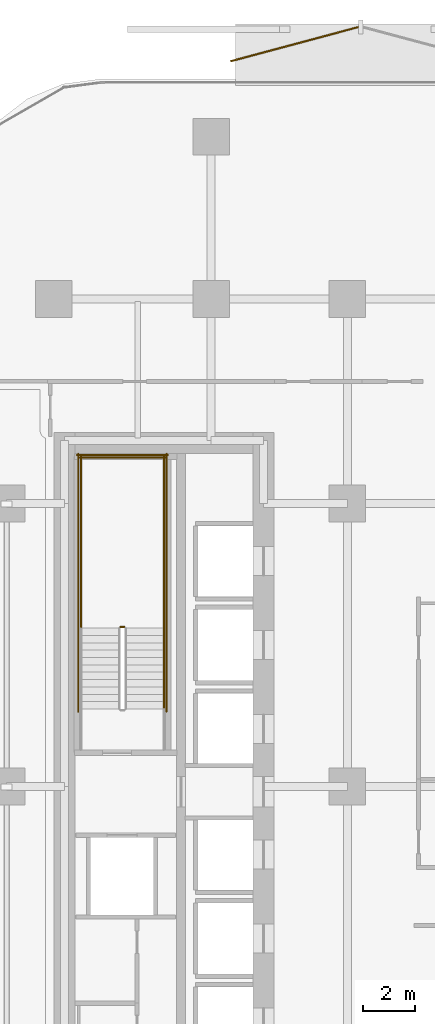
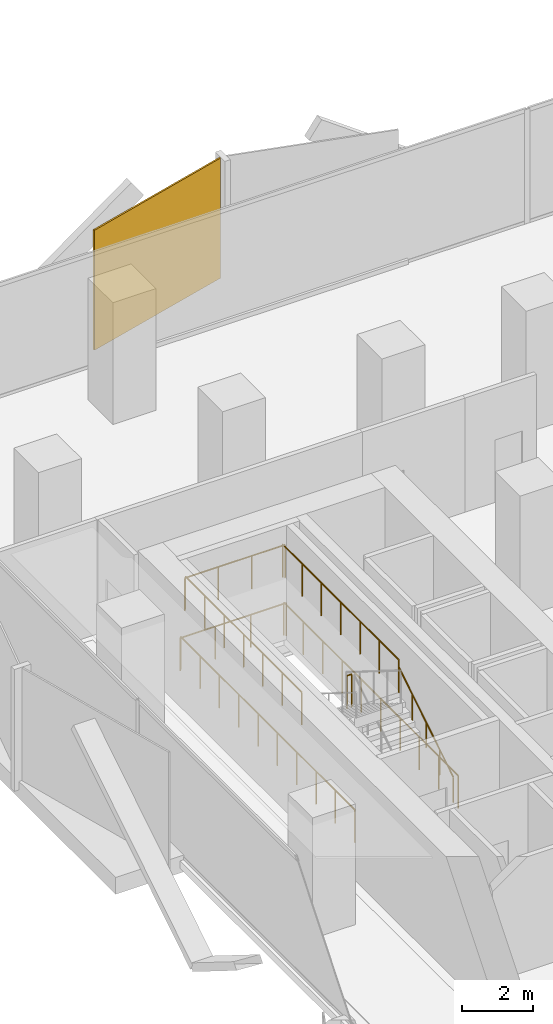
# One storey, part 15 of 16: 8 railings, 1 covering.
"""IFC4 building model written with IfcOpenShell, lengths in metres."""

from ifc_helpers import new_model, si_unit, direction, frame, origin, origin_2d, place, context, subcontext, project, spatial, rectangle, circle, extrude, material, layer, layer_set, type_object, element, save


model = new_model("IFC4")

# Units and contexts
model_context = context("Model", 3, precision=1e-05, world=origin(), true_north=direction((0.0, 1.0)))
body_context = subcontext(model_context, "Body", "Model", "MODEL_VIEW")
ifc_project = project(units=[si_unit("LENGTHUNIT", "METRE"), si_unit("AREAUNIT", "SQUARE_METRE"), si_unit("VOLUMEUNIT", "CUBIC_METRE"), si_unit("PLANEANGLEUNIT", "RADIAN"), si_unit("MASSUNIT", "GRAM", prefix="KILO")], contexts=[model_context])

# Site, building, storey
site_placement = place(None, origin())
site = spatial("IfcSite", under=ifc_project, at=site_placement, CompositionType="ELEMENT")
building_placement = place(site_placement, origin())
building = spatial("IfcBuilding", under=site, at=building_placement, Name="Khairoan Windgate Tower", CompositionType="ELEMENT")
storey_placement = place(building_placement, frame((0.0, 0.0, 26.0)))
storey = spatial("IfcBuildingStorey", under=building, at=storey_placement, Name="L06", CompositionType="ELEMENT", Elevation=26.0)

# Covering
ifc_material_1 = material(Name="Anodised Bronze Aluminium 6063-T6", Category="aluminium")
ifc_layer = layer(ifc_material_1, 0.054931640625, Name="Anodised Bronze Aluminium 6063-T6")
ifc_layer_set = layer_set([ifc_layer], Name="Anodised Bronze Aluminium 6063-T6")
covering_type = type_object("IfcCoveringType", Name="Perforated Bronze-Ceramic Folded Solar Screen Cladding BSC-1", PredefinedType="CLADDING", material=ifc_layer_set)
covering_placement = place(storey_placement, frame((-11.220947265625, 28.327392578125, -0.10009765625), z_axis=(0.0, 0.0, 1.0), x_axis=(0.965925826289, 0.258819045103, 0.0)))
element("IfcCovering", 1, at=covering_placement, inside=storey, type_object=covering_type, Name="L06 Folded Bronze Solar Screen Facet 5L", PredefinedType="CLADDING", context=body_context, shape_type="SweptSolid", body=[
    extrude(rectangle(XDim=5.04296875, YDim=0.054931640625, at=origin_2d()), origin(), (0.0, 0.0, 1.0), 4.139892578125),
])

# Railings
ifc_material_2 = material(Name="Anodised Bronze Aluminium 6063-T6", Category="aluminium")
railing_type_1 = type_object("IfcRailingType", Name="Stair Wall Handrail SHR-900", PredefinedType="HANDRAIL", material=ifc_material_2)
railing_1_placement = place(storey_placement, frame((-16.199951171875, 2.9599609375, 0.175048828125)))
element("IfcRailing", 2, at=railing_1_placement, inside=storey, type_object=railing_type_1, Name="L06 ST2 stair handrail 1", PredefinedType="HANDRAIL", context=body_context, shape_type="SweptSolid", body=[
    extrude(circle(Radius=0.02392578125, at=origin_2d()), frame((0.0, 0.0, 0.8759765625), z_axis=(0.0, 0.847998304005, 0.529998940003), x_axis=(-1.0, 0.0, 0.0)), (0.0, 0.0, 1.0), 3.632080078125),
    extrude(circle(Radius=0.02099609375, at=origin_2d()), origin(), (0.0, 0.0, 1.0), 0.851806640625),
    extrude(circle(Radius=0.02099609375, at=origin_2d()), frame((0.0, 0.77001953125, 0.481201171875)), (0.0, 0.0, 1.0), 0.851806640625),
    extrude(circle(Radius=0.02099609375, at=origin_2d()), frame((0.0, 1.5400390625, 0.96240234375)), (0.0, 0.0, 1.0), 0.851806640625),
    extrude(circle(Radius=0.02099609375, at=origin_2d()), frame((0.0, 2.31005859375, 1.44384765625)), (0.0, 0.0, 1.0), 0.851806640625),
    extrude(circle(Radius=0.02099609375, at=origin_2d()), frame((0.0, 3.080078125, 1.925048828125)), (0.0, 0.0, 1.0), 0.851806640625),
])
ifc_material_3 = material(Name="Steel S355", Category="steel")
railing_type_2 = type_object("IfcRailingType", Name="Stairwell Safety Guardrail SGR-1150", PredefinedType="GUARDRAIL", material=ifc_material_3)
railing_2_placement = place(storey_placement, frame((-17.7099609375, 6.090087890625, 2.10009765625)))
element("IfcRailing", 3, at=railing_2_placement, inside=storey, type_object=railing_type_2, Name="L06 ST2 stair guard 2", PredefinedType="GUARDRAIL", context=body_context, shape_type="SweptSolid", body=[
    extrude(circle(Radius=0.02392578125, at=origin_2d()), frame((0.0, 0.0, 1.1259765625), z_axis=(-1.0, 0.0, 0.0), x_axis=(0.0, -1.0, 0.0)), (0.0, 0.0, 1.0), 0.150146484375),
    extrude(circle(Radius=0.02099609375, at=origin_2d()), origin(), (0.0, 0.0, 1.0), 1.101806640625),
    extrude(circle(Radius=0.02099609375, at=origin_2d()), frame((-0.150146484375, 0.0, 0.0)), (0.0, 0.0, 1.0), 1.101806640625),
])
for number, where, name in (
    (4, (-16.199951171875, 6.0400390625, 2.10009765625), "L06 ST2 stair guard 3"),
    (5, (-19.3701171875, 6.0400390625, 2.10009765625), "L06 ST2 stair guard 4"),
):
    element("IfcRailing", number, at=place(storey_placement, frame(where)), inside=storey, type_object=railing_type_2, Name=name, PredefinedType="GUARDRAIL", context=body_context, shape_type="SweptSolid", body=[
        extrude(circle(Radius=0.02392578125, at=origin_2d()), frame((0.0, 0.0, 1.1259765625), z_axis=(0.0, 1.0, 0.0), x_axis=(-1.0, 0.0, 0.0)), (0.0, 0.0, 1.0), 6.56005859375),
        extrude(circle(Radius=0.02099609375, at=origin_2d()), origin(), (0.0, 0.0, 1.0), 1.101806640625),
        extrude(circle(Radius=0.02099609375, at=origin_2d()), frame((0.0, 1.09326171875, 0.0)), (0.0, 0.0, 1.0), 1.101806640625),
        extrude(circle(Radius=0.02099609375, at=origin_2d()), frame((0.0, 2.186767578125, 0.0)), (0.0, 0.0, 1.0), 1.101806640625),
        extrude(circle(Radius=0.02099609375, at=origin_2d()), frame((0.0, 3.280029296875, 0.0)), (0.0, 0.0, 1.0), 1.101806640625),
        extrude(circle(Radius=0.02099609375, at=origin_2d()), frame((0.0, 4.373291015625, 0.0)), (0.0, 0.0, 1.0), 1.101806640625),
        extrude(circle(Radius=0.02099609375, at=origin_2d()), frame((0.0, 5.466796875, 0.0)), (0.0, 0.0, 1.0), 1.101806640625),
        extrude(circle(Radius=0.02099609375, at=origin_2d()), frame((0.0, 6.56005859375, 0.0)), (0.0, 0.0, 1.0), 1.101806640625),
    ])
railing_3_placement = place(storey_placement, frame((-16.14990234375, 12.550048828125, 2.10009765625)))
element("IfcRailing", 6, at=railing_3_placement, inside=storey, type_object=railing_type_2, Name="L06 ST2 stair guard 5", PredefinedType="GUARDRAIL", context=body_context, shape_type="SweptSolid", body=[
    extrude(circle(Radius=0.02392578125, at=origin_2d()), frame((0.0, 0.0, 1.1259765625), z_axis=(-1.0, 0.0, 0.0), x_axis=(0.0, -1.0, 0.0)), (0.0, 0.0, 1.0), 3.27001953125),
    extrude(circle(Radius=0.02099609375, at=origin_2d()), origin(), (0.0, 0.0, 1.0), 1.101806640625),
    extrude(circle(Radius=0.02099609375, at=origin_2d()), frame((-1.090087890625, 0.0, 0.0)), (0.0, 0.0, 1.0), 1.101806640625),
    extrude(circle(Radius=0.02099609375, at=origin_2d()), frame((-2.179931640625, 0.0, 0.0)), (0.0, 0.0, 1.0), 1.101806640625),
    extrude(circle(Radius=0.02099609375, at=origin_2d()), frame((-3.27001953125, 0.0, 0.0)), (0.0, 0.0, 1.0), 1.101806640625),
])
for number, where, name in (
    (7, (-16.10009765625, 2.860107421875, 0.0), "L06 ST2 stair guard 10"),
    (8, (-19.469970703125, 2.860107421875, 0.0), "L06 ST2 stair guard 11"),
):
    element("IfcRailing", number, at=place(storey_placement, frame(where)), inside=storey, type_object=railing_type_2, Name=name, PredefinedType="GUARDRAIL", context=body_context, shape_type="SweptSolid", body=[
        extrude(circle(Radius=0.02392578125, at=origin_2d()), frame((0.0, 0.0, 1.1259765625), z_axis=(0.0, 1.0, 0.0), x_axis=(-1.0, 0.0, 0.0)), (0.0, 0.0, 1.0), 9.83984375),
        extrude(circle(Radius=0.02099609375, at=origin_2d()), origin(), (0.0, 0.0, 1.0), 1.101806640625),
        extrude(circle(Radius=0.02099609375, at=origin_2d()), frame((0.0, 1.09326171875, 0.0)), (0.0, 0.0, 1.0), 1.101806640625),
        extrude(circle(Radius=0.02099609375, at=origin_2d()), frame((0.0, 2.1865234375, 0.0)), (0.0, 0.0, 1.0), 1.101806640625),
        extrude(circle(Radius=0.02099609375, at=origin_2d()), frame((0.0, 3.280029296875, 0.0)), (0.0, 0.0, 1.0), 1.101806640625),
        extrude(circle(Radius=0.02099609375, at=origin_2d()), frame((0.0, 4.373291015625, 0.0)), (0.0, 0.0, 1.0), 1.101806640625),
        extrude(circle(Radius=0.02099609375, at=origin_2d()), frame((0.0, 5.466552734375, 0.0)), (0.0, 0.0, 1.0), 1.101806640625),
        extrude(circle(Radius=0.02099609375, at=origin_2d()), frame((0.0, 6.559814453125, 0.0)), (0.0, 0.0, 1.0), 1.101806640625),
        extrude(circle(Radius=0.02099609375, at=origin_2d()), frame((0.0, 7.6533203125, 0.0)), (0.0, 0.0, 1.0), 1.101806640625),
        extrude(circle(Radius=0.02099609375, at=origin_2d()), frame((0.0, 8.74658203125, 0.0)), (0.0, 0.0, 1.0), 1.101806640625),
        extrude(circle(Radius=0.02099609375, at=origin_2d()), frame((0.0, 9.83984375, 0.0)), (0.0, 0.0, 1.0), 1.101806640625),
    ])
railing_4_placement = place(storey_placement, frame((-16.050048828125, 12.64990234375, 0.0)))
element("IfcRailing", 9, at=railing_4_placement, inside=storey, type_object=railing_type_2, Name="L06 ST2 stair guard 12", PredefinedType="GUARDRAIL", context=body_context, shape_type="SweptSolid", body=[
    extrude(circle(Radius=0.02392578125, at=origin_2d()), frame((0.0, 0.0, 1.1259765625), z_axis=(-1.0, 0.0, 0.0), x_axis=(0.0, -1.0, 0.0)), (0.0, 0.0, 1.0), 3.469970703125),
    extrude(circle(Radius=0.02099609375, at=origin_2d()), origin(), (0.0, 0.0, 1.0), 1.101806640625),
    extrude(circle(Radius=0.02099609375, at=origin_2d()), frame((-1.15673828125, 0.0, 0.0)), (0.0, 0.0, 1.0), 1.101806640625),
    extrude(circle(Radius=0.02099609375, at=origin_2d()), frame((-2.313232421875, 0.0, 0.0)), (0.0, 0.0, 1.0), 1.101806640625),
    extrude(circle(Radius=0.02099609375, at=origin_2d()), frame((-3.469970703125, 0.0, 0.0)), (0.0, 0.0, 1.0), 1.101806640625),
])

save(model, "model.ifc")
